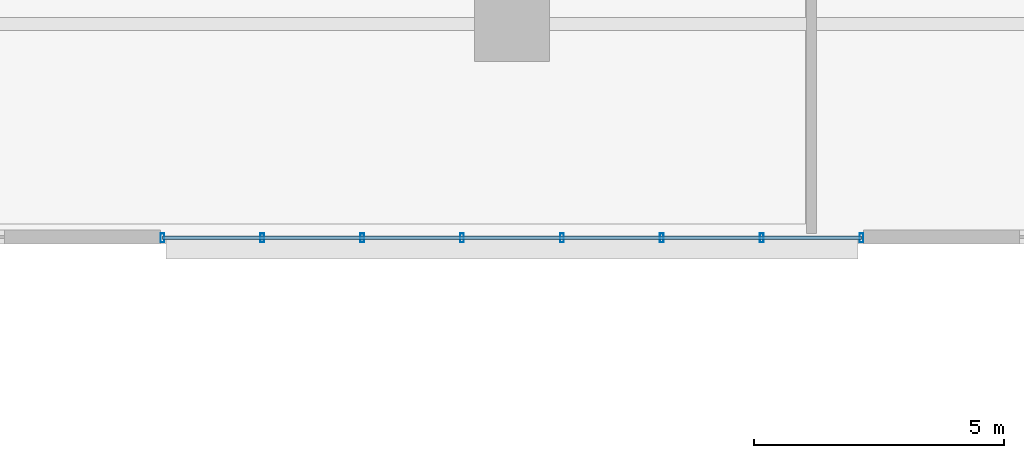
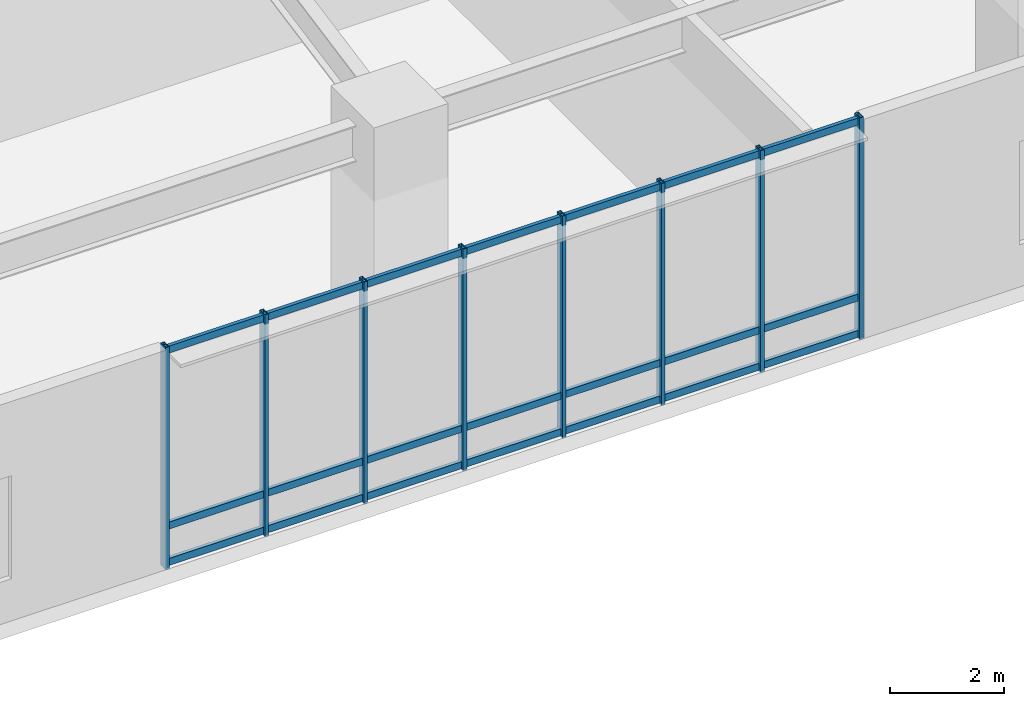
# One storey, part 5 of 26: 11 members, 1 element without a shape of its own.
"""IFC4 building model written with IfcOpenShell, lengths in metres."""

from ifc_helpers import new_model, si_unit, direction, frame, origin, origin_2d, place, context, subcontext, project, spatial, hollow_rectangle, extrude, material, material_profile, profile_set, type_object, element, aggregate, save


model = new_model("IFC4")

# Units and contexts
model_context = context("Model", 3, precision=1e-05, world=origin(), true_north=direction((0.0, 1.0)))
body_context = subcontext(model_context, "Body", "Model", "MODEL_VIEW")
ifc_project = project(units=[si_unit("LENGTHUNIT", "METRE"), si_unit("AREAUNIT", "SQUARE_METRE"), si_unit("VOLUMEUNIT", "CUBIC_METRE"), si_unit("PLANEANGLEUNIT", "RADIAN"), si_unit("MASSUNIT", "GRAM", prefix="KILO")], contexts=[model_context])

# Site, building, storey
site_placement = place(None, origin())
site = spatial("IfcSite", under=ifc_project, at=site_placement, CompositionType="ELEMENT")
building_placement = place(site_placement, origin())
building = spatial("IfcBuilding", under=site, at=building_placement, Name="Zulverin Broadcast Headquarters", CompositionType="ELEMENT")
storey_placement = place(building_placement, frame((0.0, 0.0, 15.0)))
storey = spatial("IfcBuildingStorey", under=building, at=storey_placement, Name="L03", CompositionType="ELEMENT", Elevation=15.0)

# Curtain wall, members
ifc_material_1 = material(Name="Pale-metal unitised podium curtain wall", Category="aluminium")
curtain_wall_type = type_object("IfcCurtainWallType", Name="CW-POD", PredefinedType="USERDEFINED", material=ifc_material_1)
curtain_wall_placement = place(storey_placement, origin())
curtain_wall = element("IfcCurtainWall", 1, at=curtain_wall_placement, inside=storey, type_object=curtain_wall_type, Name="L03 Unitised Curtain Wall CW-L03-S4", ObjectType="UNITISED CURTAIN WALL", PredefinedType="USERDEFINED")
ifc_material_2 = material(Name="Anodized pale-metal aluminium alloy 6063-T6", Category="aluminium")
ifc_material_profile_1 = material_profile(ifc_material_2, hollow_rectangle(XDim=0.074951171875, YDim=0.179931640625, WallThickness=0.0048828125, at=origin_2d()), Name="Anodized pale-metal aluminium alloy 6063-T6", Category="aluminium")
ifc_profile_set_1 = profile_set([ifc_material_profile_1], Name="Anodized pale-metal aluminium alloy 6063-T6")
member_type_1 = type_object("IfcMemberType", Name="CW-MUL-180", PredefinedType="MULLION", material=ifc_profile_set_1)
member_1_placement = place(storey_placement, frame((30.0, 0.1201171875, -0.030029296875), z_axis=(0.0, 0.0, 1.0), x_axis=(1.0, 0.0, 0.0)))
member_1 = element("IfcMember", 2, at=member_1_placement, type_object=member_type_1, Name="CW-L03-S4 Mullion 00", PredefinedType="MULLION", context=body_context, shape_type="SweptSolid", body=[
    extrude(hollow_rectangle(XDim=0.074951171875, YDim=0.179931640625, WallThickness=0.0048828125, at=origin_2d()), origin(), (0.0, 0.0, 1.0), 4.739990234375),
])
member_2_placement = place(storey_placement, frame((32.0, 0.1201171875, -0.030029296875), z_axis=(0.0, 0.0, 1.0), x_axis=(1.0, 0.0, 0.0)))
member_2 = element("IfcMember", 3, at=member_2_placement, type_object=member_type_1, Name="CW-L03-S4 Mullion 01", PredefinedType="MULLION", context=body_context, shape_type="SweptSolid", body=[
    extrude(hollow_rectangle(XDim=0.074951171875, YDim=0.179931640625, WallThickness=0.0048828125, at=origin_2d()), origin(), (0.0, 0.0, 1.0), 4.739990234375),
])
member_3_placement = place(storey_placement, frame((34.0, 0.1201171875, -0.030029296875), z_axis=(0.0, 0.0, 1.0), x_axis=(1.0, 0.0, 0.0)))
member_3 = element("IfcMember", 4, at=member_3_placement, type_object=member_type_1, Name="CW-L03-S4 Mullion 02", PredefinedType="MULLION", context=body_context, shape_type="SweptSolid", body=[
    extrude(hollow_rectangle(XDim=0.074951171875, YDim=0.179931640625, WallThickness=0.0048828125, at=origin_2d()), origin(), (0.0, 0.0, 1.0), 4.739990234375),
])
member_4_placement = place(storey_placement, frame((36.0, 0.1201171875, -0.030029296875), z_axis=(0.0, 0.0, 1.0), x_axis=(1.0, 0.0, 0.0)))
member_4 = element("IfcMember", 5, at=member_4_placement, type_object=member_type_1, Name="CW-L03-S4 Mullion 03", PredefinedType="MULLION", context=body_context, shape_type="SweptSolid", body=[
    extrude(hollow_rectangle(XDim=0.074951171875, YDim=0.179931640625, WallThickness=0.0048828125, at=origin_2d()), origin(), (0.0, 0.0, 1.0), 4.739990234375),
])
member_5_placement = place(storey_placement, frame((38.0, 0.1201171875, -0.030029296875), z_axis=(0.0, 0.0, 1.0), x_axis=(1.0, 0.0, 0.0)))
member_5 = element("IfcMember", 6, at=member_5_placement, type_object=member_type_1, Name="CW-L03-S4 Mullion 04", PredefinedType="MULLION", context=body_context, shape_type="SweptSolid", body=[
    extrude(hollow_rectangle(XDim=0.074951171875, YDim=0.179931640625, WallThickness=0.0048828125, at=origin_2d()), origin(), (0.0, 0.0, 1.0), 4.739990234375),
])
member_6_placement = place(storey_placement, frame((40.0, 0.1201171875, -0.030029296875), z_axis=(0.0, 0.0, 1.0), x_axis=(1.0, 0.0, 0.0)))
member_6 = element("IfcMember", 7, at=member_6_placement, type_object=member_type_1, Name="CW-L03-S4 Mullion 05", PredefinedType="MULLION", context=body_context, shape_type="SweptSolid", body=[
    extrude(hollow_rectangle(XDim=0.074951171875, YDim=0.179931640625, WallThickness=0.0048828125, at=origin_2d()), origin(), (0.0, 0.0, 1.0), 4.739990234375),
])
member_7_placement = place(storey_placement, frame((42.0, 0.1201171875, -0.030029296875), z_axis=(0.0, 0.0, 1.0), x_axis=(1.0, 0.0, 0.0)))
member_7 = element("IfcMember", 8, at=member_7_placement, type_object=member_type_1, Name="CW-L03-S4 Mullion 06", PredefinedType="MULLION", context=body_context, shape_type="SweptSolid", body=[
    extrude(hollow_rectangle(XDim=0.074951171875, YDim=0.179931640625, WallThickness=0.0048828125, at=origin_2d()), origin(), (0.0, 0.0, 1.0), 4.739990234375),
])
member_8_placement = place(storey_placement, frame((44.0, 0.1201171875, -0.030029296875), z_axis=(0.0, 0.0, 1.0), x_axis=(1.0, 0.0, 0.0)))
member_8 = element("IfcMember", 9, at=member_8_placement, type_object=member_type_1, Name="CW-L03-S4 Mullion 07", PredefinedType="MULLION", context=body_context, shape_type="SweptSolid", body=[
    extrude(hollow_rectangle(XDim=0.074951171875, YDim=0.179931640625, WallThickness=0.0048828125, at=origin_2d()), origin(), (0.0, 0.0, 1.0), 4.739990234375),
])
ifc_material_profile_2 = material_profile(ifc_material_2, hollow_rectangle(XDim=0.074951171875, YDim=0.14990234375, WallThickness=0.0048828125, at=origin_2d()), Name="Anodized pale-metal aluminium alloy 6063-T6", Category="aluminium")
ifc_profile_set_2 = profile_set([ifc_material_profile_2], Name="Anodized pale-metal aluminium alloy 6063-T6")
member_type_2 = type_object("IfcMemberType", Name="CW-TRN-150", PredefinedType="USERDEFINED", material=ifc_profile_set_2)
member_9_placement = place(storey_placement, frame((30.0, 0.1201171875, 0.074951171875), z_axis=(1.0, 0.0, 0.0), x_axis=(0.0, 1.0, 0.0)))
member_9 = element("IfcMember", 10, at=member_9_placement, type_object=member_type_2, Name="CW-L03-S4 Transom 0", ObjectType="TRANSOM", PredefinedType="USERDEFINED", context=body_context, shape_type="SweptSolid", body=[
    extrude(hollow_rectangle(XDim=0.074951171875, YDim=0.14990234375, WallThickness=0.0048828125, at=origin_2d()), origin(), (0.0, 0.0, 1.0), 14.0),
])
member_10_placement = place(storey_placement, frame((30.0, 0.1201171875, 0.85009765625), z_axis=(1.0, 0.0, 0.0), x_axis=(0.0, 1.0, 0.0)))
member_10 = element("IfcMember", 11, at=member_10_placement, type_object=member_type_2, Name="CW-L03-S4 Transom 1", ObjectType="TRANSOM", PredefinedType="USERDEFINED", context=body_context, shape_type="SweptSolid", body=[
    extrude(hollow_rectangle(XDim=0.074951171875, YDim=0.14990234375, WallThickness=0.0048828125, at=origin_2d()), origin(), (0.0, 0.0, 1.0), 14.0),
])
member_11_placement = place(storey_placement, frame((30.0, 0.1201171875, 4.60498046875), z_axis=(1.0, 0.0, 0.0), x_axis=(0.0, 1.0, 0.0)))
member_11 = element("IfcMember", 12, at=member_11_placement, type_object=member_type_2, Name="CW-L03-S4 Transom 2", ObjectType="TRANSOM", PredefinedType="USERDEFINED", context=body_context, shape_type="SweptSolid", body=[
    extrude(hollow_rectangle(XDim=0.074951171875, YDim=0.14990234375, WallThickness=0.0048828125, at=origin_2d()), origin(), (0.0, 0.0, 1.0), 14.0),
])
aggregate(curtain_wall, [member_1, member_2, member_3, member_4, member_5, member_6, member_7, member_8, member_9, member_10, member_11])

save(model, "model.ifc")
